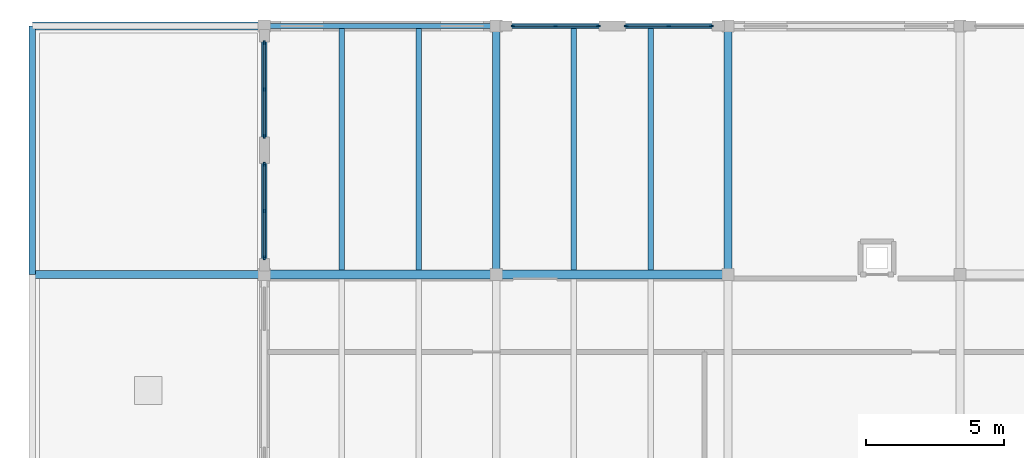
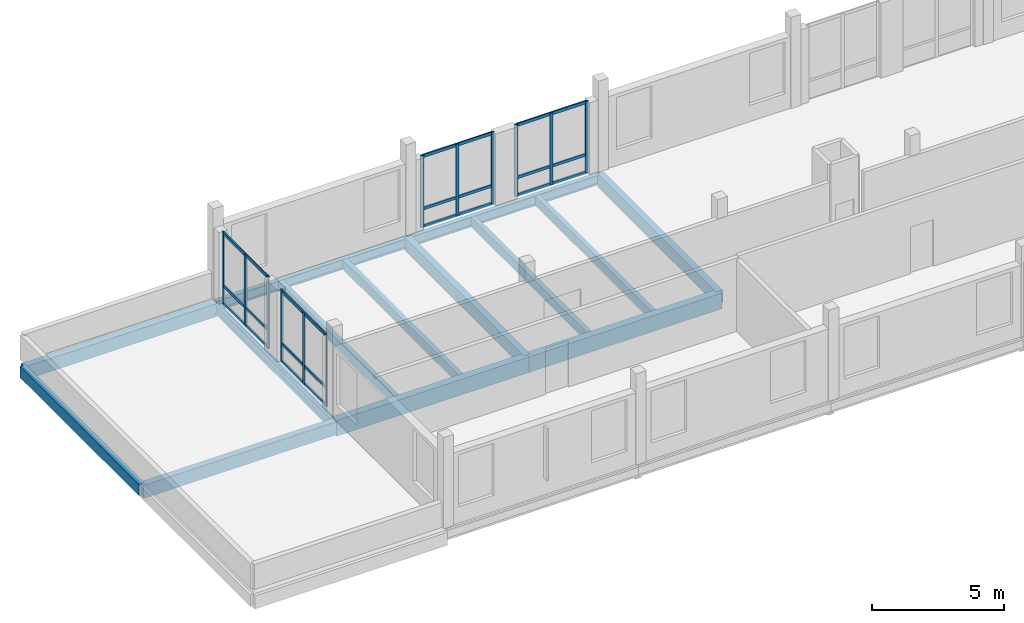
# One storey, part 23 of 81: 24 members, 14 beams, 4 elements without a shape of their own.
"""IFC4 building model written with IfcOpenShell, lengths in metres."""

import ifcopenshell
import ifcopenshell.guid

model = None  # the IFC model being written
_history = None  # IfcOwnerHistory: only IFC2X3 demands one
_inside = {}  # id of a spatial element -> (the spatial element, [elements in it])
_under = {}  # id of a project, library or spatial element -> (it, [spatial elements below it])
_declared = {}  # id of a project -> (the project, [libraries it declares])
_typed = {}  # id of a type object -> (the type object, [elements of that type])
_made_of = {}  # id of a material, layer set ... -> (it, [elements and type objects made of it])


def new_model(schema):
    """Start an empty IFC model of exactly this schema.

    Asked for "IFC4X3", IfcOpenShell would pick the latest addendum, in which some entities
    have other attributes; the version numbers below select the first issue.
    IFC2X3 requires an IfcOwnerHistory on every rooted entity: one is made here for all.
    """
    global model, _history
    if schema == "IFC4X3":
        model = ifcopenshell.file(schema_version=(4, 3, 0, 0))
    else:
        model = ifcopenshell.file(schema=schema)
    _inside.clear()
    _under.clear()
    _declared.clear()
    _typed.clear()
    _made_of.clear()
    _history = None
    if model.schema == "IFC2X3":
        org = make("IfcOrganization", Name="unknown")
        user = make(
            "IfcPersonAndOrganization",
            ThePerson=make("IfcPerson", FamilyName="unknown"),
            TheOrganization=org,
        )
        app = make(
            "IfcApplication",
            ApplicationDeveloper=org,
            Version="unknown",
            ApplicationFullName="unknown",
            ApplicationIdentifier="unknown",
        )
        _history = make(
            "IfcOwnerHistory",
            OwningUser=user,
            OwningApplication=app,
            ChangeAction="ADDED",
            CreationDate=0,
        )
    return model


def make(cls, **values):
    """One entity of the class cls with the attributes given. An attribute that is None is left unset."""
    return model.create_entity(
        cls, **{name: value for name, value in values.items() if value is not None}
    )


def rooted(cls, **values):
    """An entity with a GlobalId (a new one), such as an element, a storey or a relation."""
    return make(cls, GlobalId=ifcopenshell.guid.new(), OwnerHistory=_history, **values)


def si_unit(unit_type, name, prefix=None):
    """IfcSIUnit, for example si_unit("LENGTHUNIT", "METRE", prefix="MILLI")."""
    return make("IfcSIUnit", UnitType=unit_type, Prefix=prefix, Name=name)


def assignment(units):
    """IfcUnitAssignment: the units of a project."""
    return None if units is None else make("IfcUnitAssignment", Units=units)


def point(xyz):
    """IfcCartesianPoint."""
    return None if xyz is None else make("IfcCartesianPoint", Coordinates=xyz)


def direction(xyz):
    """IfcDirection."""
    return None if xyz is None else make("IfcDirection", DirectionRatios=xyz)


def frame(location, z_axis=None, x_axis=None):
    """IfcAxis2Placement3D, a coordinate frame: its origin and axes. An axis left out is left unset."""
    return make(
        "IfcAxis2Placement3D",
        Location=point(location),
        Axis=direction(z_axis),
        RefDirection=direction(x_axis),
    )


def frame_2d(location, x_axis=None):
    """IfcAxis2Placement2D, a coordinate frame in the plane: its origin and x axis."""
    return make(
        "IfcAxis2Placement2D", Location=point(location), RefDirection=direction(x_axis)
    )


def origin():
    """The frame at (0, 0, 0) with its axes left unset."""
    return frame((0.0, 0.0, 0.0))


def origin_2d():
    """The frame at (0, 0) in the plane with its x axis left unset."""
    return frame_2d((0.0, 0.0))


def place(relative_to, where):
    """IfcLocalPlacement: puts the frame where relative to a parent placement (None: the world)."""
    return make(
        "IfcLocalPlacement", PlacementRelTo=relative_to, RelativePlacement=where
    )


def context(
    kind, dimensions, precision=None, world=None, true_north=None, identifier=None
):
    """IfcGeometricRepresentationContext, for example the 3D "Model" context."""
    return make(
        "IfcGeometricRepresentationContext",
        ContextIdentifier=identifier,
        ContextType=kind,
        CoordinateSpaceDimension=dimensions,
        Precision=precision,
        WorldCoordinateSystem=world,
        TrueNorth=true_north,
    )


def subcontext(parent, identifier, kind, view, scale=None):
    """IfcGeometricRepresentationSubContext, for example "Body" below "Model"."""
    return make(
        "IfcGeometricRepresentationSubContext",
        ContextIdentifier=identifier,
        ContextType=kind,
        ParentContext=parent,
        TargetScale=scale,
        TargetView=view,
    )


def project(units=None, contexts=None):
    """IfcProject with its units and contexts."""
    return rooted(
        "IfcProject",
        Name="project",
        RepresentationContexts=contexts,
        UnitsInContext=assignment(units),
    )


def spatial(cls, under=None, at=None, **own):
    """A site, building, storey or space (cls), placed at a placement, below another one or the project."""
    s = rooted(cls, ObjectPlacement=at, **own)
    if under is not None:
        _under.setdefault(under.id(), (under, []))[1].append(s)
    return s


def profile(cls, at=None, kind="AREA", **sizes):
    """A parametric profile (cls). Its sizes go by their IFC names, for example OverallWidth=200.0."""
    return make(cls, ProfileType=kind, Position=at, **sizes)


def rectangle(**sizes):
    """IfcRectangleProfileDef."""
    return profile("IfcRectangleProfileDef", **sizes)


def i_section(**sizes):
    """IfcIShapeProfileDef."""
    return profile("IfcIShapeProfileDef", **sizes)


def extrude(swept, where, along, depth):
    """IfcExtrudedAreaSolid: the profile swept, set in the frame where, extruded along a direction by depth."""
    return make(
        "IfcExtrudedAreaSolid",
        SweptArea=swept,
        Position=where,
        ExtrudedDirection=direction(along),
        Depth=depth,
    )


def shape(context_of_items, identifier, shape_type, items):
    """IfcShapeRepresentation: the items that make up one representation, for example the "Body"."""
    return make(
        "IfcShapeRepresentation",
        ContextOfItems=context_of_items,
        RepresentationIdentifier=identifier,
        RepresentationType=shape_type,
        Items=items,
    )


def material(Name=None, Category=None):
    """IfcMaterial."""
    return make("IfcMaterial", Name=Name, Category=Category)


def material_profile(
    of_material, cross_section, Name=None, Category=None, Priority=None
):
    """IfcMaterialProfile: a cross section and its material."""
    return make(
        "IfcMaterialProfile",
        Name=Name,
        Material=of_material,
        Profile=cross_section,
        Priority=Priority,
        Category=Category,
    )


def profile_set(profiles, Name=None, composite=None):
    """IfcMaterialProfileSet."""
    return make(
        "IfcMaterialProfileSet",
        Name=Name,
        MaterialProfiles=profiles,
        CompositeProfile=composite,
    )


def made_of(thing, what):
    """Note that an element or type object is made of a material, layer set ...; save() writes the relation."""
    if what is not None:
        _made_of.setdefault(what.id(), (what, []))[1].append(thing)
    return thing


def type_object(cls, material=None, **own):
    """A type object (cls), such as IfcWallType, which elements share."""
    return made_of(rooted(cls, **own), material)


def element(
    cls,
    number,
    at=None,
    inside=None,
    cuts=None,
    type_object=None,
    material=None,
    context=None,
    identifier="Body",
    shape_type=None,
    held_by="IfcProductDefinitionShape",
    body=None,
    shapes=None,
    **own,
):
    """One element of the class cls, such as IfcWall. Its Tag is "e" and its number.

    at: its placement. inside: the storey or other place that contains it. cuts: it is an
    opening in that element (IfcRelVoidsElement). A single representation is given by context,
    identifier, shape_type and body (its items); several are given by shapes. held_by: the class
    of the entity that holds the representations. save() writes the other relations.
    """
    e = rooted(cls, Tag="e%d" % number, ObjectPlacement=at, **own)
    if body is not None:
        shapes = [shape(context, identifier, shape_type, body)]
    if shapes is not None:
        e.Representation = make(held_by, Representations=shapes)
    if inside is not None:
        _inside.setdefault(inside.id(), (inside, []))[1].append(e)
    if cuts is not None:
        rooted(
            "IfcRelVoidsElement", RelatingBuildingElement=cuts, RelatedOpeningElement=e
        )
    if type_object is not None:
        _typed.setdefault(type_object.id(), (type_object, []))[1].append(e)
    return made_of(e, material)


def aggregate(whole, parts):
    """IfcRelAggregates: a whole, such as a stair, and the parts it consists of."""
    return rooted("IfcRelAggregates", RelatingObject=whole, RelatedObjects=parts)


def save(model, path):
    """Write the relations noted so far, then the file.

    IfcRelAggregates (storeys below a building ...), IfcRelContainedInSpatialStructure (elements
    in a storey), IfcRelDefinesByType, IfcRelAssociatesMaterial and IfcRelDeclares: one each for
    every whole, place, type object, material and project.
    """
    for whole, parts in _under.values():
        aggregate(whole, parts)
    for where, things in _inside.values():
        rooted(
            "IfcRelContainedInSpatialStructure",
            RelatedElements=things,
            RelatingStructure=where,
        )
    for kind, things in _typed.values():
        rooted("IfcRelDefinesByType", RelatedObjects=things, RelatingType=kind)
    for what, things in _made_of.values():
        rooted("IfcRelAssociatesMaterial", RelatedObjects=things, RelatingMaterial=what)
    for by, libraries in _declared.values():
        rooted("IfcRelDeclares", RelatingContext=by, RelatedDefinitions=libraries)
    model.write(path)


model = new_model("IFC4")

# Units and contexts
model_context = context("Model", 3, precision=1e-05, world=origin(), true_north=direction((0.0, 1.0)))
body_context = subcontext(model_context, "Body", "Model", "MODEL_VIEW")
ifc_project = project(units=[si_unit("LENGTHUNIT", "METRE"), si_unit("AREAUNIT", "SQUARE_METRE"), si_unit("VOLUMEUNIT", "CUBIC_METRE"), si_unit("PLANEANGLEUNIT", "RADIAN"), si_unit("MASSUNIT", "GRAM", prefix="KILO")], contexts=[model_context])

# Site, building, storey
site_placement = place(None, origin())
site = spatial("IfcSite", under=ifc_project, at=site_placement, CompositionType="ELEMENT")
building_placement = place(site_placement, origin())
building = spatial("IfcBuilding", under=site, at=building_placement, Name="Kahlenmark Community Centre", CompositionType="ELEMENT")
storey_placement = place(building_placement, frame((0.0, 0.0, 9.60009765625)))
storey = spatial("IfcBuildingStorey", under=building, at=storey_placement, Name="L02", CompositionType="ELEMENT", Elevation=9.60009765625)

# Beams
ifc_material_1 = material(Name="Glulam GL32h", Category="wood")
ifc_material_profile_1 = material_profile(ifc_material_1, rectangle(XDim=0.239990234375, YDim=0.52001953125, at=origin_2d()), Name="GL32h 240x520")
ifc_profile_set_1 = profile_set([ifc_material_profile_1], Name="Glulam GL32h")
beam_type_1 = type_object("IfcBeamType", Name="BT-BEAM-GL32h240x520", PredefinedType="BEAM", material=ifc_profile_set_1)
beam_1_placement = place(storey_placement, frame((4.0, 106.0, -0.5400390625), z_axis=(0.0, 1.0, 0.0), x_axis=(-1.0, 0.0, 0.0)))
element("IfcBeam", 1, at=beam_1_placement, inside=storey, type_object=beam_type_1, Name="L02 beam BG-RF520", PredefinedType="BEAM", context=body_context, shape_type="SweptSolid", body=[
    extrude(rectangle(XDim=0.239990234375, YDim=0.52001953125, at=origin_2d()), origin(), (0.0, 0.0, 1.0), 9.0),
])
ifc_material_profile_2 = material_profile(ifc_material_1, rectangle(XDim=0.280029296875, YDim=0.60009765625, at=origin_2d()), Name="GL32h 280x600")
ifc_profile_set_2 = profile_set([ifc_material_profile_2], Name="Glulam GL32h")
beam_type_2 = type_object("IfcBeamType", Name="BT-BEAM-GL32h280x600", PredefinedType="BEAM", material=ifc_profile_set_2)
for number, where, z_axis, x_axis, name in (
    (2, (20.800048828125, 106.0, -0.52001953125), (0.0, 1.0, 0.0), (-1.0, 0.0, 0.0), "L02 beam BG-GL32h280x600"),
    (3, (29.199951171875, 106.0, -0.52001953125), (0.0, 1.0, 0.0), (-1.0, 0.0, 0.0), "L02 beam BG-GL32h280x600"),
):
    element("IfcBeam", number, at=place(storey_placement, frame(where, z_axis=z_axis, x_axis=x_axis)), inside=storey, type_object=beam_type_2, Name=name, PredefinedType="BEAM", context=body_context, shape_type="SweptSolid", body=[
        extrude(rectangle(XDim=0.280029296875, YDim=0.60009765625, at=origin_2d()), origin(), (0.0, 0.0, 1.0), 9.0),
    ])
for number, where, z_axis, x_axis, name in (
    (4, (4.0, 106.0, -0.580078125), (1.0, 0.0, 0.0), (0.0, 1.0, 0.0), "L02 beam BG-RF600"),
    (5, (4.0, 115.0, -0.580078125), (1.0, 0.0, 0.0), (0.0, 1.0, 0.0), "L02 beam BG-RF600"),
):
    element("IfcBeam", number, at=place(storey_placement, frame(where, z_axis=z_axis, x_axis=x_axis)), inside=storey, type_object=beam_type_2, Name=name, PredefinedType="BEAM", context=body_context, shape_type="SweptSolid", body=[
        extrude(rectangle(XDim=0.280029296875, YDim=0.60009765625, at=origin_2d()), origin(), (0.0, 0.0, 1.0), 8.39990234375),
    ])
ifc_material_profile_3 = material_profile(ifc_material_1, rectangle(XDim=0.320068359375, YDim=0.719970703125, at=origin_2d()), Name="GL32h 320x720")
ifc_profile_set_3 = profile_set([ifc_material_profile_3], Name="Glulam GL32h")
beam_type_3 = type_object("IfcBeamType", Name="BT-BEAM-GL32h320x720", PredefinedType="BEAM", material=ifc_profile_set_3)
beam_2_placement = place(storey_placement, frame((12.39990234375, 106.0, -0.580078125), z_axis=(1.0, 0.0, 0.0), x_axis=(0.0, 1.0, 0.0)))
element("IfcBeam", 6, at=beam_2_placement, inside=storey, type_object=beam_type_3, Name="L02 beam BG-GL32h320x720", PredefinedType="BEAM", context=body_context, shape_type="SweptSolid", body=[
    extrude(rectangle(XDim=0.320068359375, YDim=0.719970703125, at=origin_2d()), origin(), (0.0, 0.0, 1.0), 8.400146484375),
])
beam_3_placement = place(storey_placement, frame((20.800048828125, 106.0, -0.580078125), z_axis=(1.0, 0.0, 0.0), x_axis=(0.0, 1.0, 0.0)))
element("IfcBeam", 7, at=beam_3_placement, inside=storey, type_object=beam_type_3, Name="L02 beam BG-GL32h320x720", PredefinedType="BEAM", context=body_context, shape_type="SweptSolid", body=[
    extrude(rectangle(XDim=0.320068359375, YDim=0.719970703125, at=origin_2d()), origin(), (0.0, 0.0, 1.0), 8.39990234375),
])
ifc_material_2 = material(Name="Glulam GL28h", Category="wood")
ifc_material_profile_4 = material_profile(ifc_material_2, rectangle(XDim=0.199951171875, YDim=0.43994140625, at=origin_2d()), Name="GL28h 200x440")
ifc_profile_set_4 = profile_set([ifc_material_profile_4], Name="Glulam GL28h")
beam_type_4 = type_object("IfcBeamType", Name="BT-JOIST-GL28h200x440", PredefinedType="JOIST", material=ifc_profile_set_4)
for number, where, z_axis, x_axis, name in (
    (8, (15.199951171875, 106.157958984375, -0.440185546875), (0.0, 1.0, 0.0), (-1.0, 0.0, 0.0), "L02 joist BJ-GL28h200x440"),
    (9, (18.0, 106.157958984375, -0.440185546875), (0.0, 1.0, 0.0), (-1.0, 0.0, 0.0), "L02 joist BJ-GL28h200x440"),
    (10, (23.60009765625, 106.157958984375, -0.440185546875), (0.0, 1.0, 0.0), (-1.0, 0.0, 0.0), "L02 joist BJ-GL28h200x440"),
    (11, (26.39990234375, 106.157958984375, -0.440185546875), (0.0, 1.0, 0.0), (-1.0, 0.0, 0.0), "L02 joist BJ-GL28h200x440"),
):
    element("IfcBeam", number, at=place(storey_placement, frame(where, z_axis=z_axis, x_axis=x_axis)), inside=storey, type_object=beam_type_4, Name=name, PredefinedType="JOIST", context=body_context, shape_type="SweptSolid", body=[
        extrude(rectangle(XDim=0.199951171875, YDim=0.43994140625, at=origin_2d()), origin(), (0.0, 0.0, 1.0), 8.7490234375),
    ])
ifc_material_3 = material(Name="Steel S355", Category="steel")
ifc_material_profile_5 = material_profile(ifc_material_3, i_section(OverallWidth=0.18994140625, OverallDepth=0.449951171875, WebThickness=0.009521484375, FlangeThickness=0.0146484375, at=origin_2d()), Name="IPE 450")
ifc_profile_set_5 = profile_set([ifc_material_profile_5], Name="Steel S355")
beam_type_5 = type_object("IfcBeamType", Name="BT-SPANDREL-IPE450", PredefinedType="SPANDREL", material=ifc_profile_set_5)
beam_4_placement = place(storey_placement, frame((12.39990234375, 115.0, -0.445068359375), z_axis=(1.0, 0.0, 0.0), x_axis=(0.0, 1.0, 0.0)))
element("IfcBeam", 12, at=beam_4_placement, inside=storey, type_object=beam_type_5, Name="L02 spandrel SP-IPE450", PredefinedType="SPANDREL", context=body_context, shape_type="SweptSolid", body=[
    extrude(i_section(OverallWidth=0.18994140625, OverallDepth=0.449951171875, WebThickness=0.009521484375, FlangeThickness=0.0146484375, at=origin_2d()), origin(), (0.0, 0.0, 1.0), 8.400146484375),
])
beam_5_placement = place(storey_placement, frame((20.800048828125, 115.0, -0.445068359375), z_axis=(1.0, 0.0, 0.0), x_axis=(0.0, 1.0, 0.0)))
element("IfcBeam", 13, at=beam_5_placement, inside=storey, type_object=beam_type_5, Name="L02 spandrel SP-IPE450", PredefinedType="SPANDREL", context=body_context, shape_type="SweptSolid", body=[
    extrude(i_section(OverallWidth=0.18994140625, OverallDepth=0.449951171875, WebThickness=0.009521484375, FlangeThickness=0.0146484375, at=origin_2d()), origin(), (0.0, 0.0, 1.0), 8.39990234375),
])
beam_6_placement = place(storey_placement, frame((12.39990234375, 106.0, -0.505126953125), z_axis=(0.0, 1.0, 0.0), x_axis=(-1.0, 0.0, 0.0)))
element("IfcBeam", 14, at=beam_6_placement, inside=storey, type_object=beam_type_5, Name="L02 spandrel SP-IPE450", PredefinedType="SPANDREL", context=body_context, shape_type="SweptSolid", body=[
    extrude(i_section(OverallWidth=0.18994140625, OverallDepth=0.449951171875, WebThickness=0.009521484375, FlangeThickness=0.0146484375, at=origin_2d()), origin(), (0.0, 0.0, 1.0), 9.0),
])

# Curtain wall, members
ifc_material_4 = material(Name="Anodised aluminium unitised curtain wall", Category="aluminium")
curtain_wall_type_1 = type_object("IfcCurtainWallType", Name="CWT-UNIT-314X331", PredefinedType="USERDEFINED", material=ifc_material_4)
curtain_wall_1_placement = place(storey_placement, origin())
curtain_wall_1 = element("IfcCurtainWall", 15, at=curtain_wall_1_placement, inside=storey, type_object=curtain_wall_type_1, Name="Unitised curtain wall CW-089", ObjectType="UNITISED CURTAIN WALL", PredefinedType="USERDEFINED")
ifc_material_5 = material(Name="Anodised aluminium 6063-T6", Category="aluminium")
ifc_material_profile_6 = material_profile(ifc_material_5, rectangle(XDim=0.06005859375, YDim=0.139892578125, at=origin_2d()), Name="ALU MULLION 60x140")
ifc_profile_set_6 = profile_set([ifc_material_profile_6], Name="Anodised aluminium 6063-T6")
member_type_1 = type_object("IfcMemberType", Name="MT-MUL-140", PredefinedType="MULLION", material=ifc_profile_set_6)
member_1_placement = place(storey_placement, frame((28.590087890625, 115.0, 0.0), z_axis=(0.0, 0.0, 1.0), x_axis=(0.0, -1.0, 0.0)))
member_1 = element("IfcMember", 16, at=member_1_placement, type_object=member_type_1, Name="CW-089 mullion 1", PredefinedType="MULLION", context=body_context, shape_type="SweptSolid", body=[
    extrude(rectangle(XDim=0.06005859375, YDim=0.139892578125, at=origin_2d()), origin(), (0.0, 0.0, 1.0), 3.309814453125),
])
member_2_placement = place(storey_placement, frame((27.050048828125, 115.0, 0.0), z_axis=(0.0, 0.0, 1.0), x_axis=(0.0, -1.0, 0.0)))
member_2 = element("IfcMember", 17, at=member_2_placement, type_object=member_type_1, Name="CW-089 mullion 2", PredefinedType="MULLION", context=body_context, shape_type="SweptSolid", body=[
    extrude(rectangle(XDim=0.06005859375, YDim=0.139892578125, at=origin_2d()), origin(), (0.0, 0.0, 1.0), 3.309814453125),
])
member_3_placement = place(storey_placement, frame((25.510009765625, 115.0, 0.0), z_axis=(0.0, 0.0, 1.0), x_axis=(0.0, -1.0, 0.0)))
member_3 = element("IfcMember", 18, at=member_3_placement, type_object=member_type_1, Name="CW-089 mullion 3", PredefinedType="MULLION", context=body_context, shape_type="SweptSolid", body=[
    extrude(rectangle(XDim=0.06005859375, YDim=0.139892578125, at=origin_2d()), origin(), (0.0, 0.0, 1.0), 3.309814453125),
])

curtain_wall_2_placement = place(storey_placement, origin())
curtain_wall_2 = element("IfcCurtainWall", 19, at=curtain_wall_2_placement, inside=storey, type_object=curtain_wall_type_1, Name="Unitised curtain wall CW-090", ObjectType="UNITISED CURTAIN WALL", PredefinedType="USERDEFINED")
member_4_placement = place(storey_placement, frame((24.489990234375, 115.0, 0.0), z_axis=(0.0, 0.0, 1.0), x_axis=(0.0, -1.0, 0.0)))
member_4 = element("IfcMember", 20, at=member_4_placement, type_object=member_type_1, Name="CW-090 mullion 1", PredefinedType="MULLION", context=body_context, shape_type="SweptSolid", body=[
    extrude(rectangle(XDim=0.06005859375, YDim=0.139892578125, at=origin_2d()), origin(), (0.0, 0.0, 1.0), 3.309814453125),
])
member_5_placement = place(storey_placement, frame((22.949951171875, 115.0, 0.0), z_axis=(0.0, 0.0, 1.0), x_axis=(0.0, -1.0, 0.0)))
member_5 = element("IfcMember", 21, at=member_5_placement, type_object=member_type_1, Name="CW-090 mullion 2", PredefinedType="MULLION", context=body_context, shape_type="SweptSolid", body=[
    extrude(rectangle(XDim=0.06005859375, YDim=0.139892578125, at=origin_2d()), origin(), (0.0, 0.0, 1.0), 3.309814453125),
])
member_6_placement = place(storey_placement, frame((21.409912109375, 115.0, 0.0), z_axis=(0.0, 0.0, 1.0), x_axis=(0.0, -1.0, 0.0)))
member_6 = element("IfcMember", 22, at=member_6_placement, type_object=member_type_1, Name="CW-090 mullion 3", PredefinedType="MULLION", context=body_context, shape_type="SweptSolid", body=[
    extrude(rectangle(XDim=0.06005859375, YDim=0.139892578125, at=origin_2d()), origin(), (0.0, 0.0, 1.0), 3.309814453125),
])

curtain_wall_type_2 = type_object("IfcCurtainWallType", Name="CWT-UNIT-344X331", PredefinedType="USERDEFINED", material=ifc_material_4)
curtain_wall_3_placement = place(storey_placement, origin())
curtain_wall_3 = element("IfcCurtainWall", 23, at=curtain_wall_3_placement, inside=storey, type_object=curtain_wall_type_2, Name="Unitised curtain wall CW-097", ObjectType="UNITISED CURTAIN WALL", PredefinedType="USERDEFINED")
member_7_placement = place(storey_placement, frame((12.39990234375, 114.389892578125, 0.0), z_axis=(0.0, 0.0, 1.0), x_axis=(1.0, 0.0, 0.0)))
member_7 = element("IfcMember", 24, at=member_7_placement, type_object=member_type_1, Name="CW-097 mullion 1", PredefinedType="MULLION", context=body_context, shape_type="SweptSolid", body=[
    extrude(rectangle(XDim=0.06005859375, YDim=0.139892578125, at=origin_2d()), origin(), (0.0, 0.0, 1.0), 3.309814453125),
])
member_8_placement = place(storey_placement, frame((12.39990234375, 112.699951171875, 0.0), z_axis=(0.0, 0.0, 1.0), x_axis=(1.0, 0.0, 0.0)))
member_8 = element("IfcMember", 25, at=member_8_placement, type_object=member_type_1, Name="CW-097 mullion 2", PredefinedType="MULLION", context=body_context, shape_type="SweptSolid", body=[
    extrude(rectangle(XDim=0.06005859375, YDim=0.139892578125, at=origin_2d()), origin(), (0.0, 0.0, 1.0), 3.309814453125),
])
member_9_placement = place(storey_placement, frame((12.39990234375, 111.010009765625, 0.0), z_axis=(0.0, 0.0, 1.0), x_axis=(1.0, 0.0, 0.0)))
member_9 = element("IfcMember", 26, at=member_9_placement, type_object=member_type_1, Name="CW-097 mullion 3", PredefinedType="MULLION", context=body_context, shape_type="SweptSolid", body=[
    extrude(rectangle(XDim=0.06005859375, YDim=0.139892578125, at=origin_2d()), origin(), (0.0, 0.0, 1.0), 3.309814453125),
])

curtain_wall_4_placement = place(storey_placement, origin())
curtain_wall_4 = element("IfcCurtainWall", 27, at=curtain_wall_4_placement, inside=storey, type_object=curtain_wall_type_2, Name="Unitised curtain wall CW-098", ObjectType="UNITISED CURTAIN WALL", PredefinedType="USERDEFINED")
member_10_placement = place(storey_placement, frame((12.39990234375, 109.989990234375, 0.0), z_axis=(0.0, 0.0, 1.0), x_axis=(1.0, 0.0, 0.0)))
member_10 = element("IfcMember", 28, at=member_10_placement, type_object=member_type_1, Name="CW-098 mullion 1", PredefinedType="MULLION", context=body_context, shape_type="SweptSolid", body=[
    extrude(rectangle(XDim=0.06005859375, YDim=0.139892578125, at=origin_2d()), origin(), (0.0, 0.0, 1.0), 3.309814453125),
])
member_11_placement = place(storey_placement, frame((12.39990234375, 108.300048828125, 0.0), z_axis=(0.0, 0.0, 1.0), x_axis=(1.0, 0.0, 0.0)))
member_11 = element("IfcMember", 29, at=member_11_placement, type_object=member_type_1, Name="CW-098 mullion 2", PredefinedType="MULLION", context=body_context, shape_type="SweptSolid", body=[
    extrude(rectangle(XDim=0.06005859375, YDim=0.139892578125, at=origin_2d()), origin(), (0.0, 0.0, 1.0), 3.309814453125),
])
member_12_placement = place(storey_placement, frame((12.39990234375, 106.610107421875, 0.0), z_axis=(0.0, 0.0, 1.0), x_axis=(1.0, 0.0, 0.0)))
member_12 = element("IfcMember", 30, at=member_12_placement, type_object=member_type_1, Name="CW-098 mullion 3", PredefinedType="MULLION", context=body_context, shape_type="SweptSolid", body=[
    extrude(rectangle(XDim=0.06005859375, YDim=0.139892578125, at=origin_2d()), origin(), (0.0, 0.0, 1.0), 3.309814453125),
])

# Member
ifc_material_profile_7 = material_profile(ifc_material_5, rectangle(XDim=0.06005859375, YDim=0.139892578125, at=origin_2d()), Name="ALU TRANSOM 60x140")
ifc_profile_set_7 = profile_set([ifc_material_profile_7], Name="Anodised aluminium 6063-T6")
member_type_2 = type_object("IfcMemberType", Name="MT-TRN-140", PredefinedType="USERDEFINED", material=ifc_profile_set_7)
member_13_placement = place(storey_placement, frame((28.590087890625, 115.0, 0.039794921875), z_axis=(-1.0, 0.0, 0.0), x_axis=(0.0, -1.0, 0.0)))
member_13 = element("IfcMember", 31, at=member_13_placement, type_object=member_type_2, Name="CW-089 transom 1", ObjectType="TRANSOM", PredefinedType="USERDEFINED", context=body_context, shape_type="SweptSolid", body=[
    extrude(rectangle(XDim=0.06005859375, YDim=0.139892578125, at=origin_2d()), origin(), (0.0, 0.0, 1.0), 3.080078125),
])

member_14_placement = place(storey_placement, frame((28.590087890625, 115.0, 0.849853515625), z_axis=(-1.0, 0.0, 0.0), x_axis=(0.0, -1.0, 0.0)))
member_14 = element("IfcMember", 32, at=member_14_placement, type_object=member_type_2, Name="CW-089 transom 2", ObjectType="TRANSOM", PredefinedType="USERDEFINED", context=body_context, shape_type="SweptSolid", body=[
    extrude(rectangle(XDim=0.06005859375, YDim=0.139892578125, at=origin_2d()), origin(), (0.0, 0.0, 1.0), 3.080078125),
])

member_15_placement = place(storey_placement, frame((28.590087890625, 115.0, 3.27001953125), z_axis=(-1.0, 0.0, 0.0), x_axis=(0.0, -1.0, 0.0)))
member_15 = element("IfcMember", 33, at=member_15_placement, type_object=member_type_2, Name="CW-089 transom 3", ObjectType="TRANSOM", PredefinedType="USERDEFINED", context=body_context, shape_type="SweptSolid", body=[
    extrude(rectangle(XDim=0.06005859375, YDim=0.139892578125, at=origin_2d()), origin(), (0.0, 0.0, 1.0), 3.080078125),
])

aggregate(curtain_wall_1, [member_1, member_2, member_3, member_13, member_14, member_15])

member_16_placement = place(storey_placement, frame((24.489990234375, 115.0, 0.039794921875), z_axis=(-1.0, 0.0, 0.0), x_axis=(0.0, -1.0, 0.0)))
member_16 = element("IfcMember", 34, at=member_16_placement, type_object=member_type_2, Name="CW-090 transom 1", ObjectType="TRANSOM", PredefinedType="USERDEFINED", context=body_context, shape_type="SweptSolid", body=[
    extrude(rectangle(XDim=0.06005859375, YDim=0.139892578125, at=origin_2d()), origin(), (0.0, 0.0, 1.0), 3.080078125),
])

member_17_placement = place(storey_placement, frame((24.489990234375, 115.0, 0.849853515625), z_axis=(-1.0, 0.0, 0.0), x_axis=(0.0, -1.0, 0.0)))
member_17 = element("IfcMember", 35, at=member_17_placement, type_object=member_type_2, Name="CW-090 transom 2", ObjectType="TRANSOM", PredefinedType="USERDEFINED", context=body_context, shape_type="SweptSolid", body=[
    extrude(rectangle(XDim=0.06005859375, YDim=0.139892578125, at=origin_2d()), origin(), (0.0, 0.0, 1.0), 3.080078125),
])

member_18_placement = place(storey_placement, frame((24.489990234375, 115.0, 3.27001953125), z_axis=(-1.0, 0.0, 0.0), x_axis=(0.0, -1.0, 0.0)))
member_18 = element("IfcMember", 36, at=member_18_placement, type_object=member_type_2, Name="CW-090 transom 3", ObjectType="TRANSOM", PredefinedType="USERDEFINED", context=body_context, shape_type="SweptSolid", body=[
    extrude(rectangle(XDim=0.06005859375, YDim=0.139892578125, at=origin_2d()), origin(), (0.0, 0.0, 1.0), 3.080078125),
])

aggregate(curtain_wall_2, [member_4, member_5, member_6, member_16, member_17, member_18])

member_19_placement = place(storey_placement, frame((12.39990234375, 114.389892578125, 0.039794921875), z_axis=(0.0, -1.0, 0.0), x_axis=(1.0, 0.0, 0.0)))
member_19 = element("IfcMember", 37, at=member_19_placement, type_object=member_type_2, Name="CW-097 transom 1", ObjectType="TRANSOM", PredefinedType="USERDEFINED", context=body_context, shape_type="SweptSolid", body=[
    extrude(rectangle(XDim=0.06005859375, YDim=0.139892578125, at=origin_2d()), origin(), (0.0, 0.0, 1.0), 3.3798828125),
])

member_20_placement = place(storey_placement, frame((12.39990234375, 114.389892578125, 0.849853515625), z_axis=(0.0, -1.0, 0.0), x_axis=(1.0, 0.0, 0.0)))
member_20 = element("IfcMember", 38, at=member_20_placement, type_object=member_type_2, Name="CW-097 transom 2", ObjectType="TRANSOM", PredefinedType="USERDEFINED", context=body_context, shape_type="SweptSolid", body=[
    extrude(rectangle(XDim=0.06005859375, YDim=0.139892578125, at=origin_2d()), origin(), (0.0, 0.0, 1.0), 3.3798828125),
])

member_21_placement = place(storey_placement, frame((12.39990234375, 114.389892578125, 3.27001953125), z_axis=(0.0, -1.0, 0.0), x_axis=(1.0, 0.0, 0.0)))
member_21 = element("IfcMember", 39, at=member_21_placement, type_object=member_type_2, Name="CW-097 transom 3", ObjectType="TRANSOM", PredefinedType="USERDEFINED", context=body_context, shape_type="SweptSolid", body=[
    extrude(rectangle(XDim=0.06005859375, YDim=0.139892578125, at=origin_2d()), origin(), (0.0, 0.0, 1.0), 3.3798828125),
])

aggregate(curtain_wall_3, [member_7, member_8, member_9, member_19, member_20, member_21])

member_22_placement = place(storey_placement, frame((12.39990234375, 109.989990234375, 0.039794921875), z_axis=(0.0, -1.0, 0.0), x_axis=(1.0, 0.0, 0.0)))
member_22 = element("IfcMember", 40, at=member_22_placement, type_object=member_type_2, Name="CW-098 transom 1", ObjectType="TRANSOM", PredefinedType="USERDEFINED", context=body_context, shape_type="SweptSolid", body=[
    extrude(rectangle(XDim=0.06005859375, YDim=0.139892578125, at=origin_2d()), origin(), (0.0, 0.0, 1.0), 3.3798828125),
])

member_23_placement = place(storey_placement, frame((12.39990234375, 109.989990234375, 0.849853515625), z_axis=(0.0, -1.0, 0.0), x_axis=(1.0, 0.0, 0.0)))
member_23 = element("IfcMember", 41, at=member_23_placement, type_object=member_type_2, Name="CW-098 transom 2", ObjectType="TRANSOM", PredefinedType="USERDEFINED", context=body_context, shape_type="SweptSolid", body=[
    extrude(rectangle(XDim=0.06005859375, YDim=0.139892578125, at=origin_2d()), origin(), (0.0, 0.0, 1.0), 3.3798828125),
])

member_24_placement = place(storey_placement, frame((12.39990234375, 109.989990234375, 3.27001953125), z_axis=(0.0, -1.0, 0.0), x_axis=(1.0, 0.0, 0.0)))
member_24 = element("IfcMember", 42, at=member_24_placement, type_object=member_type_2, Name="CW-098 transom 3", ObjectType="TRANSOM", PredefinedType="USERDEFINED", context=body_context, shape_type="SweptSolid", body=[
    extrude(rectangle(XDim=0.06005859375, YDim=0.139892578125, at=origin_2d()), origin(), (0.0, 0.0, 1.0), 3.3798828125),
])

aggregate(curtain_wall_4, [member_10, member_11, member_12, member_22, member_23, member_24])

save(model, "model.ifc")
